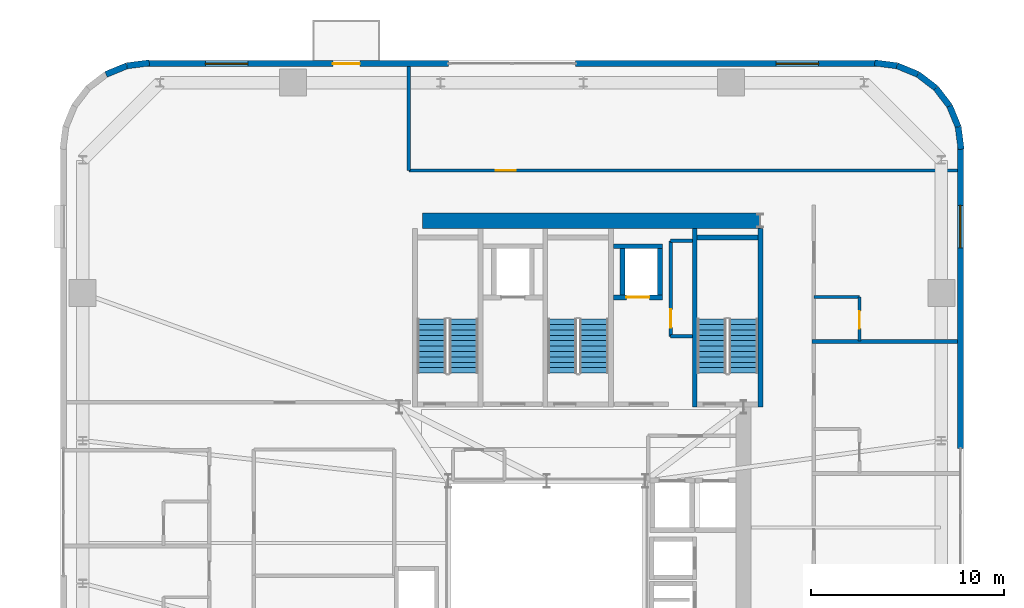
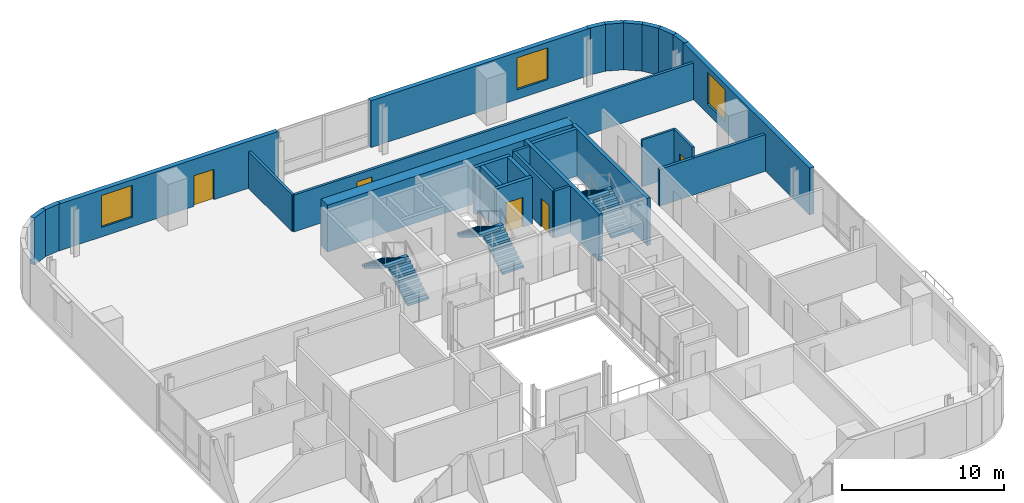
# One storey, part 10 of 12: 27 walls, 6 stair flights, 5 doors, 3 windows, 8 openings, 3 elements without a shape of their own.
"""IFC4 building model written with IfcOpenShell, lengths in metres."""

from ifc_helpers import new_model, si_unit, direction, frame, frame_2d, origin, place, context, subcontext, project, spatial, polyline, rectangle, outline, extrude, source, transform, mapped, material, layer, layer_set, type_object, element, fill, aggregate, save


model = new_model("IFC4")

# Units and contexts
model_context = context("Model", 3, precision=1e-05, world=origin(), true_north=direction((0.0, 1.0)))
body_context = subcontext(model_context, "Body", "Model", "MODEL_VIEW")
ifc_project = project(units=[si_unit("LENGTHUNIT", "METRE"), si_unit("AREAUNIT", "SQUARE_METRE"), si_unit("VOLUMEUNIT", "CUBIC_METRE"), si_unit("PLANEANGLEUNIT", "RADIAN"), si_unit("MASSUNIT", "GRAM", prefix="KILO")], contexts=[model_context])

# Site, building, storey
site_placement = place(None, origin())
site = spatial("IfcSite", under=ifc_project, at=site_placement, CompositionType="ELEMENT")
building_placement = place(site_placement, origin())
building = spatial("IfcBuilding", under=site, at=building_placement, Name="Vardaveli Station Tower", CompositionType="ELEMENT")
storey_placement = place(building_placement, frame((0.0, 0.0, 214.800048828125)))
storey = spatial("IfcBuildingStorey", under=building, at=storey_placement, Name="L55", CompositionType="ELEMENT", Elevation=214.800048828125)

# Wall
ifc_material_1 = material(Name="Concrete C50/60", Category="concrete")
ifc_layer_1 = layer(ifc_material_1, 0.800048828125, Name="Concrete C50/60")
ifc_layer_set_1 = layer_set([ifc_layer_1], Name="Concrete C50/60")
wall_type_1 = type_object("IfcWallType", Name="WAL-CORE-800", PredefinedType="SHEAR", material=ifc_layer_set_1)
shared_shape_1 = source(origin(), body_context, "Body", "SweptSolid", [
    extrude(rectangle(XDim=17.52001953125, YDim=0.800048828125, at=frame_2d((8.760009765625, 0.0))), origin(), (0.0, 0.0, 1.0), 3.530029296875),
])
wall_1_placement = place(storey_placement, frame((29.85009765625, 40.300048828125, 0.0), z_axis=(0.0, 0.0, 1.0), x_axis=(1.0, 0.0, 0.0)))
element("IfcWall", 1, at=wall_1_placement, inside=storey, type_object=wall_type_1, Name="SW-L55-NORTH", PredefinedType="SHEAR", context=body_context, shape_type="MappedRepresentation", body=[
    mapped(shared_shape_1, transform((0.0, 0.0, 0.0), scale=1.0)),
])

# Wall, opening, window
ifc_material_2 = material(Name="Precast concrete C45/55", Category="concrete")
ifc_layer_2 = layer(ifc_material_2, 0.320068359375, Name="Precast concrete C45/55")
ifc_layer_set_2 = layer_set([ifc_layer_2], Name="Precast concrete C45/55")
wall_type_2 = type_object("IfcWallType", Name="WAL-EXT-STONE-320", PredefinedType="SOLIDWALL", material=ifc_layer_set_2)
shared_shape_2 = source(origin(), body_context, "Body", "SweptSolid", [
    extrude(rectangle(XDim=15.599853515625, YDim=0.320068359375, at=frame_2d((7.7998046875, 0.0))), origin(), (0.0, 0.0, 1.0), 3.530029296875),
])
wall_2_placement = place(storey_placement, frame((53.39990234375, 48.43994140625, 0.0), z_axis=(0.0, 0.0, 1.0), x_axis=(-1.0, 0.0, 0.0)))
wall_2 = element("IfcWall", 2, at=wall_2_placement, inside=storey, type_object=wall_type_2, Name="EW-L55-N1", PredefinedType="SOLIDWALL", context=body_context, shape_type="MappedRepresentation", body=[
    mapped(shared_shape_2, transform((0.0, 0.0, 0.0), scale=1.0)),
])
shared_shape_3 = source(origin(), body_context, "Body", "SweptSolid", [
    extrude(rectangle(XDim=2.199951171875, YDim=2.39990234375, at=frame_2d((1.10009765625, 1.199951171875))), frame((0.0, 0.169921875, 0.0), z_axis=(0.0, -1.0, 0.0), x_axis=(1.0, 0.0, 0.0)), (0.0, 0.0, 1.0), 0.340087890625),
])
opening_1_placement = place(wall_2_placement, frame((3.0048828125, 0.0, 0.719970703125)))
opening_1 = element("IfcOpeningElement", 3, at=opening_1_placement, cuts=wall_2, Name="Opening W-03", PredefinedType="OPENING", context=body_context, shape_type="MappedRepresentation", body=[
    mapped(shared_shape_3, transform((0.0, 0.0, 0.0), scale=1.0)),
])
ifc_material_3 = material(Name="Low-E solar-control glass", Category="glass")
window_type = type_object("IfcWindowType", Name="WIN-LOG-2200x2400", PartitioningType="SINGLE_PANEL", PredefinedType="WINDOW", material=ifc_material_3)
shared_shape_4 = source(origin(), body_context, "Body", "SweptSolid", [
    extrude(rectangle(XDim=2.199951171875, YDim=2.39990234375, at=frame_2d((1.10009765625, 1.199951171875))), frame((0.0, 0.030029296875, 0.0), z_axis=(0.0, -1.0, 0.0), x_axis=(1.0, 0.0, 0.0)), (0.0, 0.0, 1.0), 0.06005859375),
])
window_1_placement = place(opening_1_placement, origin())
window_1 = element("IfcWindow", 4, at=window_1_placement, inside=storey, type_object=window_type, Name="WN-L55-N1", OverallHeight=2.39990234375, OverallWidth=2.199951171875, PartitioningType="SINGLE_PANEL", PredefinedType="WINDOW", context=body_context, shape_type="MappedRepresentation", body=[
    mapped(shared_shape_4, transform((0.0, 0.0, 0.0), scale=1.0)),
])
fill(opening_1, window_1)

# Wall, openings, door, window
wall_3_placement = place(storey_placement, frame((31.199951171875, 48.43994140625, 0.0), z_axis=(0.0, 0.0, 1.0), x_axis=(-1.0, 0.0, 0.0)))
wall_3 = element("IfcWall", 5, at=wall_3_placement, inside=storey, type_object=wall_type_2, Name="EW-L55-N2", PredefinedType="SOLIDWALL", context=body_context, shape_type="MappedRepresentation", body=[
    mapped(shared_shape_2, transform((0.0, 0.0, 0.0), scale=1.0)),
])
shared_shape_5 = source(origin(), body_context, "Body", "SweptSolid", [
    extrude(rectangle(XDim=1.39990234375, YDim=2.300048828125, at=frame_2d((0.699951171875, 1.14990234375))), frame((0.0, 0.169921875, 0.0), z_axis=(0.0, -1.0, 0.0), x_axis=(1.0, 0.0, 0.0)), (0.0, 0.0, 1.0), 0.340087890625),
])
opening_2_placement = place(wall_3_placement, frame((4.589599609375, 0.0, 0.0)))
opening_2 = element("IfcOpeningElement", 6, at=opening_2_placement, cuts=wall_3, Name="Opening D-09", PredefinedType="OPENING", context=body_context, shape_type="MappedRepresentation", body=[
    mapped(shared_shape_5, transform((0.0, 0.0, 0.0), scale=1.0)),
])
opening_3_placement = place(wall_3_placement, frame((10.39501953125, 0.0, 0.719970703125)))
opening_3 = element("IfcOpeningElement", 7, at=opening_3_placement, cuts=wall_3, Name="Opening W-03", PredefinedType="OPENING", context=body_context, shape_type="MappedRepresentation", body=[
    mapped(shared_shape_3, transform((0.0, 0.0, 0.0), scale=1.0)),
])
ifc_material_4 = material(Name="Thermally broken aluminium glass", Category="aluminium")
door_type_1 = type_object("IfcDoorType", Name="DR-LOG-1400x2300", OperationType="DOUBLE_DOOR_SLIDING", PredefinedType="DOOR", material=ifc_material_4)
shared_shape_6 = source(origin(), body_context, "Body", "SweptSolid", [
    extrude(rectangle(XDim=1.39990234375, YDim=2.300048828125, at=frame_2d((0.699951171875, 1.14990234375))), frame((0.0, 0.02490234375, 0.0), z_axis=(0.0, -1.0, 0.0), x_axis=(1.0, 0.0, 0.0)), (0.0, 0.0, 1.0), 0.050048828125),
])
door_1_placement = place(opening_2_placement, frame((1.39990234375, 0.0, 0.0), z_axis=(0.0, 0.0, 1.0), x_axis=(-1.0, 0.0, 0.0)))
door_1 = element("IfcDoor", 8, at=door_1_placement, inside=storey, type_object=door_type_1, Name="DLG-L55-N", OperationType="DOUBLE_DOOR_SLIDING", OverallHeight=2.300048828125, OverallWidth=1.39990234375, PredefinedType="DOOR", context=body_context, shape_type="MappedRepresentation", body=[
    mapped(shared_shape_6, transform((0.0, 0.0, 0.0), scale=1.0)),
])
fill(opening_2, door_1)
window_2_placement = place(opening_3_placement, origin())
window_2 = element("IfcWindow", 9, at=window_2_placement, inside=storey, type_object=window_type, Name="WN-L55-N2", OverallHeight=2.39990234375, OverallWidth=2.199951171875, PartitioningType="SINGLE_PANEL", PredefinedType="WINDOW", context=body_context, shape_type="MappedRepresentation", body=[
    mapped(shared_shape_4, transform((0.0, 0.0, 0.0), scale=1.0)),
])
fill(opening_3, window_2)

# Wall, opening, window
shared_shape_7 = source(origin(), body_context, "Body", "SweptSolid", [
    extrude(rectangle(XDim=15.60009765625, YDim=0.320068359375, at=frame_2d((7.800048828125, 0.0))), origin(), (0.0, 0.0, 1.0), 3.530029296875),
])
wall_4_placement = place(storey_placement, frame((57.739990234375, 28.5, 0.0), z_axis=(0.0, 0.0, 1.0), x_axis=(0.0, 1.0, 0.0)))
wall_4 = element("IfcWall", 10, at=wall_4_placement, inside=storey, type_object=wall_type_2, Name="EW-L55-E2", PredefinedType="SOLIDWALL", context=body_context, shape_type="MappedRepresentation", body=[
    mapped(shared_shape_7, transform((0.0, 0.0, 0.0), scale=1.0)),
])
opening_4_placement = place(wall_4_placement, frame((10.39501953125, 0.0, 0.719970703125)))
opening_4 = element("IfcOpeningElement", 11, at=opening_4_placement, cuts=wall_4, Name="Opening W-03", PredefinedType="OPENING", context=body_context, shape_type="MappedRepresentation", body=[
    mapped(shared_shape_3, transform((0.0, 0.0, 0.0), scale=1.0)),
])
window_3_placement = place(opening_4_placement, origin())
window_3 = element("IfcWindow", 12, at=window_3_placement, inside=storey, type_object=window_type, Name="WN-L55-E2", OverallHeight=2.39990234375, OverallWidth=2.199951171875, PartitioningType="SINGLE_PANEL", PredefinedType="WINDOW", context=body_context, shape_type="MappedRepresentation", body=[
    mapped(shared_shape_4, transform((0.0, 0.0, 0.0), scale=1.0)),
])
fill(opening_4, window_3)

# Walls
shared_shape_8 = source(origin(), body_context, "Body", "SweptSolid", [
    extrude(rectangle(XDim=1.1689453125, YDim=0.320068359375, at=frame_2d((0.58447265625, 0.0))), origin(), (0.0, 0.0, 1.0), 3.530029296875),
])
wall_5_placement = place(storey_placement, frame((57.179931640625, 46.2412109375, 0.0), z_axis=(0.0, 0.0, 1.0), x_axis=(-0.608387696831, 0.793639975269, 0.0)))
element("IfcWall", 13, at=wall_5_placement, inside=storey, type_object=wall_type_2, Name="EW-L55-CR3-3", PredefinedType="SOLIDWALL", context=body_context, shape_type="MappedRepresentation", body=[
    mapped(shared_shape_8, transform((0.0, 0.0, 0.0), scale=1.0)),
])
shared_shape_9 = source(origin(), body_context, "Body", "SweptSolid", [
    extrude(rectangle(XDim=1.168701171875, YDim=0.320068359375, at=frame_2d((0.58447265625, 0.0))), origin(), (0.0, 0.0, 1.0), 3.530029296875),
])
wall_6_placement = place(storey_placement, frame((56.46875, 47.1689453125, 0.0), z_axis=(0.0, 0.0, 1.0), x_axis=(-0.793663520347, 0.608356981114, 0.0)))
element("IfcWall", 14, at=wall_6_placement, inside=storey, type_object=wall_type_2, Name="EW-L55-CR3-4", PredefinedType="SOLIDWALL", context=body_context, shape_type="MappedRepresentation", body=[
    mapped(shared_shape_9, transform((0.0, 0.0, 0.0), scale=1.0)),
])
shared_shape_10 = source(origin(), body_context, "Body", "SweptSolid", [
    extrude(rectangle(XDim=1.17041015625, YDim=0.320068359375, at=frame_2d((0.585205078125, 0.0))), origin(), (0.0, 0.0, 1.0), 3.530029296875),
])
for number, where, z_axis, x_axis, name in (
    (15, (57.775634765625, 43.99951171875, 0.0), (0.0, 0.0, 1.0), (-0.128295670475, 0.991735963317, 0.0), "EW-L55-CR3-1"),
    (16, (54.460205078125, 48.325439453125, 0.0), (0.0, 0.0, 1.0), (-0.991735963317, 0.128295670475, 0.0), "EW-L55-CR3-6"),
    (17, (15.700439453125, 48.4755859375, 0.0), (0.0, 0.0, 1.0), (-0.991735963317, -0.128295670475, 0.0), "EW-L55-CR4-1"),
):
    element("IfcWall", number, at=place(storey_placement, frame(where, z_axis=z_axis, x_axis=x_axis)), inside=storey, type_object=wall_type_2, Name=name, PredefinedType="SOLIDWALL", context=body_context, shape_type="MappedRepresentation", body=[
        mapped(shared_shape_10, transform((0.0, 0.0, 0.0), scale=1.0)),
    ])
shared_shape_11 = source(origin(), body_context, "Body", "SweptSolid", [
    extrude(rectangle(XDim=1.169189453125, YDim=0.320068359375, at=frame_2d((0.58447265625, 0.0))), origin(), (0.0, 0.0, 1.0), 3.530029296875),
])
for number, where, z_axis, x_axis, name in (
    (18, (57.62548828125, 45.16015625, 0.0), (0.0, 0.0, 1.0), (-0.381054331552, 0.924552646638, 0.0), "EW-L55-CR3-2"),
    (19, (55.541259765625, 47.8798828125, 0.0), (0.0, 0.0, 1.0), (-0.924552646638, 0.381054331552, 0.0), "EW-L55-CR3-5"),
    (20, (14.539794921875, 48.325439453125, 0.0), (0.0, 0.0, 1.0), (-0.924552646638, -0.381054331552, 0.0), "EW-L55-CR4-2"),
):
    element("IfcWall", number, at=place(storey_placement, frame(where, z_axis=z_axis, x_axis=x_axis)), inside=storey, type_object=wall_type_2, Name=name, PredefinedType="SOLIDWALL", context=body_context, shape_type="MappedRepresentation", body=[
        mapped(shared_shape_11, transform((0.0, 0.0, 0.0), scale=1.0)),
    ])
ifc_material_5 = material(Name="Concrete C40/50", Category="concrete")
ifc_layer_3 = layer(ifc_material_5, 0.25, Name="Concrete C40/50")
ifc_layer_set_3 = layer_set([ifc_layer_3], Name="Concrete C40/50")
wall_type_3 = type_object("IfcWallType", Name="WAL-SHAFT-250", PredefinedType="SOLIDWALL", material=ifc_layer_set_3)
shared_shape_12 = source(origin(), body_context, "Body", "SweptSolid", [
    extrude(rectangle(XDim=9.25, YDim=0.25, at=frame_2d((4.625, 0.0))), origin(), (0.0, 0.0, 1.0), 3.550048828125),
])
for number, where, z_axis, x_axis, name in (
    (21, (43.97509765625, 30.64990234375, 0.0), (0.0, 0.0, 1.0), (0.0, 1.0, 0.0), "W-L55-ST-3W"),
    (22, (47.375, 30.64990234375, 0.0), (0.0, 0.0, 1.0), (0.0, 1.0, 0.0), "W-L55-ST-3E"),
):
    element("IfcWall", number, at=place(storey_placement, frame(where, z_axis=z_axis, x_axis=x_axis)), inside=storey, type_object=wall_type_3, Name=name, PredefinedType="SOLIDWALL", context=body_context, shape_type="MappedRepresentation", body=[
        mapped(shared_shape_12, transform((0.0, 0.0, 0.0), scale=1.0)),
    ])
shared_shape_13 = source(origin(), body_context, "Body", "SweptSolid", [
    extrude(rectangle(XDim=3.14990234375, YDim=0.25, at=frame_2d((1.574951171875, 0.0))), origin(), (0.0, 0.0, 1.0), 3.550048828125),
])
wall_7_placement = place(storey_placement, frame((44.10009765625, 39.425048828125, 0.0), z_axis=(0.0, 0.0, 1.0), x_axis=(1.0, 0.0, 0.0)))
element("IfcWall", 23, at=wall_7_placement, inside=storey, type_object=wall_type_3, Name="W-L55-ST-3N", PredefinedType="SOLIDWALL", context=body_context, shape_type="MappedRepresentation", body=[
    mapped(shared_shape_13, transform((0.0, 0.0, 0.0), scale=1.0)),
])
shared_shape_14 = source(origin(), body_context, "Body", "SweptSolid", [
    extrude(rectangle(XDim=2.400146484375, YDim=0.25, at=frame_2d((1.2001953125, 0.0))), origin(), (0.0, 0.0, 1.0), 3.530029296875),
])
for number, where, z_axis, x_axis, name in (
    (24, (40.22509765625, 36.449951171875, 0.0), (0.0, 0.0, 1.0), (0.0, 1.0, 0.0), "SHW-FFL-02-L55-W"),
    (25, (42.175048828125, 36.449951171875, 0.0), (0.0, 0.0, 1.0), (0.0, 1.0, 0.0), "SHW-FFL-02-L55-E"),
):
    element("IfcWall", number, at=place(storey_placement, frame(where, z_axis=z_axis, x_axis=x_axis)), inside=storey, type_object=wall_type_3, Name=name, PredefinedType="SOLIDWALL", context=body_context, shape_type="MappedRepresentation", body=[
        mapped(shared_shape_14, transform((0.0, 0.0, 0.0), scale=1.0)),
    ])

# Wall, opening, door
shared_shape_15 = source(origin(), body_context, "Body", "SweptSolid", [
    extrude(rectangle(XDim=2.550048828125, YDim=0.25, at=frame_2d((1.27490234375, 0.0))), origin(), (0.0, 0.0, 1.0), 3.530029296875),
])
wall_8_placement = place(storey_placement, frame((39.75, 36.324951171875, 0.0), z_axis=(0.0, 0.0, 1.0), x_axis=(1.0, 0.0, 0.0)))
wall_8 = element("IfcWall", 26, at=wall_8_placement, inside=storey, type_object=wall_type_3, Name="SHW-FFL-02-L55-S", PredefinedType="SOLIDWALL", context=body_context, shape_type="MappedRepresentation", body=[
    mapped(shared_shape_15, transform((0.0, 0.0, 0.0), scale=1.0)),
])
shared_shape_16 = source(origin(), body_context, "Body", "SweptSolid", [
    extrude(rectangle(XDim=1.199951171875, YDim=2.25, at=frame_2d((0.60009765625, 1.125))), frame((0.0, 0.135009765625, 0.0), z_axis=(0.0, -1.0, 0.0), x_axis=(1.0, 0.0, 0.0)), (0.0, 0.0, 1.0), 0.27001953125),
])
opening_5_placement = place(wall_8_placement, frame((0.675048828125, 0.0, 0.0)))
opening_5 = element("IfcOpeningElement", 27, at=opening_5_placement, cuts=wall_8, Name="Opening LD-02", PredefinedType="OPENING", context=body_context, shape_type="MappedRepresentation", body=[
    mapped(shared_shape_16, transform((0.0, 0.0, 0.0), scale=1.0)),
])
ifc_material_6 = material(Name="Brushed stainless steel", Category="steel")
door_type_2 = type_object("IfcDoorType", Name="DR-LD-1200x2250", OperationType="DOUBLE_DOOR_SLIDING", PredefinedType="DOOR", material=ifc_material_6)
shared_shape_17 = source(origin(), body_context, "Body", "SweptSolid", [
    extrude(rectangle(XDim=1.199951171875, YDim=2.25, at=frame_2d((0.60009765625, 1.125))), frame((0.0, 0.02490234375, 0.0), z_axis=(0.0, -1.0, 0.0), x_axis=(1.0, 0.0, 0.0)), (0.0, 0.0, 1.0), 0.050048828125),
])
door_2_placement = place(opening_5_placement, origin())
door_2 = element("IfcDoor", 28, at=door_2_placement, inside=storey, type_object=door_type_2, Name="LD-FFL-02-L55", OperationType="DOUBLE_DOOR_SLIDING", OverallHeight=2.25, OverallWidth=1.199951171875, PredefinedType="DOOR", context=body_context, shape_type="MappedRepresentation", body=[
    mapped(shared_shape_17, transform((0.0, 0.0, 0.0), scale=1.0)),
])
fill(opening_5, door_2)

# Wall
wall_9_placement = place(storey_placement, frame((39.75, 38.97509765625, 0.0), z_axis=(0.0, 0.0, 1.0), x_axis=(1.0, 0.0, 0.0)))
element("IfcWall", 29, at=wall_9_placement, inside=storey, type_object=wall_type_3, Name="SHW-FFL-02-L55-N", PredefinedType="SOLIDWALL", context=body_context, shape_type="MappedRepresentation", body=[
    mapped(shared_shape_15, transform((0.0, 0.0, 0.0), scale=1.0)),
])

# Wall, opening, door
ifc_material_7 = material(Name="Fire-rated gypsum stud partition")
ifc_layer_4 = layer(ifc_material_7, 0.179931640625, Name="Fire-rated gypsum stud partition")
ifc_layer_set_4 = layer_set([ifc_layer_4], Name="Fire-rated gypsum stud partition")
wall_type_4 = type_object("IfcWallType", Name="WAL-CORR-180", PredefinedType="PARTITIONING", material=ifc_layer_set_4)
shared_shape_18 = source(origin(), body_context, "Body", "SweptSolid", [
    extrude(rectangle(XDim=28.427978515625, YDim=0.179931640625, at=frame_2d((14.2138671875, 0.0))), origin(), (0.0, 0.0, 1.0), 2.77197265625),
])
wall_10_placement = place(storey_placement, frame((29.14990234375, 42.89990234375, 0.0), z_axis=(0.0, 0.0, 1.0), x_axis=(1.0, 0.0, 0.0)))
wall_10 = element("IfcWall", 30, at=wall_10_placement, inside=storey, type_object=wall_type_4, Name="W-L55-NPS", PredefinedType="PARTITIONING", context=body_context, shape_type="MappedRepresentation", body=[
    mapped(shared_shape_18, transform((0.0, 0.0, 0.0), scale=1.0)),
])
shared_shape_19 = source(origin(), body_context, "Body", "SweptSolid", [
    extrude(rectangle(XDim=1.050048828125, YDim=2.199951171875, at=frame_2d((0.52490234375, 1.10009765625))), frame((0.0, 0.10009765625, 0.0), z_axis=(0.0, -1.0, 0.0), x_axis=(1.0, 0.0, 0.0)), (0.0, 0.0, 1.0), 0.199951171875),
])
opening_6_placement = place(wall_10_placement, frame((4.5, 0.0, 0.0)))
opening_6 = element("IfcOpeningElement", 31, at=opening_6_placement, cuts=wall_10, Name="Opening D-05", PredefinedType="OPENING", context=body_context, shape_type="MappedRepresentation", body=[
    mapped(shared_shape_19, transform((0.0, 0.0, 0.0), scale=1.0)),
])
ifc_material_8 = material(Name="Walnut veneer acoustic fire door")
door_type_3 = type_object("IfcDoorType", Name="DR-SUITE-1050x2200", OperationType="NOTDEFINED", PredefinedType="DOOR", material=ifc_material_8)
shared_shape_20 = source(origin(), body_context, "Body", "SweptSolid", [
    extrude(rectangle(XDim=1.050048828125, YDim=2.199951171875, at=frame_2d((0.52490234375, 1.10009765625))), frame((0.0, 0.02490234375, 0.0), z_axis=(0.0, -1.0, 0.0), x_axis=(1.0, 0.0, 0.0)), (0.0, 0.0, 1.0), 0.050048828125),
])
door_3_placement = place(opening_6_placement, origin())
door_3 = element("IfcDoor", 32, at=door_3_placement, inside=storey, type_object=door_type_3, Name="D-L55-NP1", OperationType="SINGLE_SWING_LEFT", OverallHeight=2.199951171875, OverallWidth=1.050048828125, PredefinedType="DOOR", context=body_context, shape_type="MappedRepresentation", body=[
    mapped(shared_shape_20, transform((0.0, 0.0, 0.0), scale=1.0)),
])
fill(opening_6, door_3)

ifc_material_9 = material(Name="Moisture-resistant stud partition")
ifc_layer_5 = layer(ifc_material_9, 0.14990234375, Name="Moisture-resistant stud partition")
ifc_layer_set_5 = layer_set([ifc_layer_5], Name="Moisture-resistant stud partition")
wall_type_5 = type_object("IfcWallType", Name="WAL-WET-150", PredefinedType="PARTITIONING", material=ifc_layer_set_5)
shared_shape_21 = source(origin(), body_context, "Body", "SweptSolid", [
    extrude(rectangle(XDim=2.289794921875, YDim=0.14990234375, at=frame_2d((1.14501953125, 0.0))), origin(), (0.0, 0.0, 1.0), 3.530029296875),
])
wall_11_placement = place(storey_placement, frame((52.510009765625, 34.05810546875, 0.0), z_axis=(0.0, 0.0, 1.0), x_axis=(0.0, 1.0, 0.0)))
wall_11 = element("IfcWall", 33, at=wall_11_placement, inside=storey, type_object=wall_type_5, Name="W-L55-BE4-E", PredefinedType="PARTITIONING", context=body_context, shape_type="MappedRepresentation", body=[
    mapped(shared_shape_21, transform((0.0, 0.0, 0.0), scale=1.0)),
])
shared_shape_22 = source(origin(), body_context, "Body", "SweptSolid", [
    extrude(rectangle(XDim=0.89990234375, YDim=2.10009765625, at=frame_2d((0.449951171875, 1.050048828125))), frame((0.0, 0.0849609375, 0.0), z_axis=(0.0, -1.0, 0.0), x_axis=(1.0, 0.0, 0.0)), (0.0, 0.0, 1.0), 0.169921875),
])
opening_7_placement = place(wall_11_placement, frame((0.64990234375, 0.0, 0.0)))
opening_7 = element("IfcOpeningElement", 34, at=opening_7_placement, cuts=wall_11, Name="Opening D-08", PredefinedType="OPENING", context=body_context, shape_type="MappedRepresentation", body=[
    mapped(shared_shape_22, transform((0.0, 0.0, 0.0), scale=1.0)),
])
ifc_material_10 = material(Name="Moisture-resistant oak door")
door_type_4 = type_object("IfcDoorType", Name="DR-BATH-900x2100", OperationType="NOTDEFINED", PredefinedType="DOOR", material=ifc_material_10)
shared_shape_23 = source(origin(), body_context, "Body", "SweptSolid", [
    extrude(rectangle(XDim=0.89990234375, YDim=2.10009765625, at=frame_2d((0.449951171875, 1.050048828125))), frame((0.0, 0.02490234375, 0.0), z_axis=(0.0, -1.0, 0.0), x_axis=(1.0, 0.0, 0.0)), (0.0, 0.0, 1.0), 0.050048828125),
])
door_4_placement = place(opening_7_placement, origin())
door_4 = element("IfcDoor", 35, at=door_4_placement, inside=storey, type_object=door_type_4, Name="D-L55-BE4", OperationType="SINGLE_SWING_LEFT", OverallHeight=2.10009765625, OverallWidth=0.89990234375, PredefinedType="DOOR", context=body_context, shape_type="MappedRepresentation", body=[
    mapped(shared_shape_23, transform((0.0, 0.0, 0.0), scale=1.0)),
])
fill(opening_7, door_4)

# Walls
ifc_material_11 = material(Name="Acoustic twin-stud gypsum partition")
ifc_layer_6 = layer(ifc_material_11, 0.199951171875, Name="Acoustic twin-stud gypsum partition")
ifc_layer_set_6 = layer_set([ifc_layer_6], Name="Acoustic twin-stud gypsum partition")
wall_type_6 = type_object("IfcWallType", Name="WAL-PARTY-200", PredefinedType="PARTITIONING", material=ifc_layer_set_6)
shared_shape_24 = source(origin(), body_context, "Body", "SweptSolid", [
    extrude(rectangle(XDim=7.52783203125, YDim=0.199951171875, at=frame_2d((3.763916015625, 0.0))), origin(), (0.0, 0.0, 1.0), 2.77197265625),
])
wall_12_placement = place(storey_placement, frame((50.050048828125, 34.0380859375, 0.0), z_axis=(0.0, 0.0, 1.0), x_axis=(1.0, 0.0, 0.0)))
element("IfcWall", 36, at=wall_12_placement, inside=storey, type_object=wall_type_6, Name="W-L55-PE3", PredefinedType="PARTITIONING", context=body_context, shape_type="MappedRepresentation", body=[
    mapped(shared_shape_24, transform((0.0, 0.0, 0.0), scale=1.0)),
])
shared_shape_25 = source(origin(), body_context, "Body", "SweptSolid", [
    extrude(rectangle(XDim=5.378173828125, YDim=0.179931640625, at=frame_2d((2.68896484375, 0.0))), origin(), (0.0, 0.0, 1.0), 2.77197265625),
])
wall_13_placement = place(storey_placement, frame((29.14990234375, 42.89990234375, 0.0), z_axis=(0.0, 0.0, 1.0), x_axis=(0.0, 1.0, 0.0)))
element("IfcWall", 37, at=wall_13_placement, inside=storey, type_object=wall_type_4, Name="W-L55-NPW", PredefinedType="PARTITIONING", context=body_context, shape_type="MappedRepresentation", body=[
    mapped(shared_shape_25, transform((0.0, 0.0, 0.0), scale=1.0)),
])
shared_shape_26 = source(origin(), body_context, "Body", "SweptSolid", [
    extrude(rectangle(XDim=2.360107421875, YDim=0.14990234375, at=frame_2d((1.18017578125, 0.0))), origin(), (0.0, 0.0, 1.0), 3.530029296875),
])
wall_14_placement = place(storey_placement, frame((50.14990234375, 36.347900390625, 0.0), z_axis=(0.0, 0.0, 1.0), x_axis=(1.0, 0.0, 0.0)))
element("IfcWall", 38, at=wall_14_placement, inside=storey, type_object=wall_type_5, Name="W-L55-BE4-N", PredefinedType="PARTITIONING", context=body_context, shape_type="MappedRepresentation", body=[
    mapped(shared_shape_26, transform((0.0, 0.0, 0.0), scale=1.0)),
])

# Wall, opening, door
shared_shape_27 = source(origin(), body_context, "Body", "SweptSolid", [
    extrude(rectangle(XDim=4.949951171875, YDim=0.179931640625, at=frame_2d((2.47509765625, 0.0))), origin(), (0.0, 0.0, 1.0), 3.530029296875),
])
wall_15_placement = place(storey_placement, frame((42.719970703125, 34.300048828125, 0.0), z_axis=(0.0, 0.0, 1.0), x_axis=(0.0, 1.0, 0.0)))
wall_15 = element("IfcWall", 39, at=wall_15_placement, inside=storey, type_object=wall_type_4, Name="W-L55-CBS1-W", PredefinedType="PARTITIONING", context=body_context, shape_type="MappedRepresentation", body=[
    mapped(shared_shape_27, transform((0.0, 0.0, 0.0), scale=1.0)),
])
shared_shape_28 = source(origin(), body_context, "Body", "SweptSolid", [
    extrude(rectangle(XDim=0.949951171875, YDim=2.14990234375, at=frame_2d((0.47509765625, 1.074951171875))), frame((0.0, 0.10009765625, 0.0), z_axis=(0.0, -1.0, 0.0), x_axis=(1.0, 0.0, 0.0)), (0.0, 0.0, 1.0), 0.199951171875),
])
opening_8_placement = place(wall_15_placement, frame((0.449951171875, 0.0, 0.0)))
opening_8 = element("IfcOpeningElement", 40, at=opening_8_placement, cuts=wall_15, Name="Opening D-06", PredefinedType="OPENING", context=body_context, shape_type="MappedRepresentation", body=[
    mapped(shared_shape_28, transform((0.0, 0.0, 0.0), scale=1.0)),
])
ifc_material_12 = material(Name="Oak veneer acoustic fire door")
door_type_5 = type_object("IfcDoorType", Name="DR-GUEST-950x2150", OperationType="NOTDEFINED", PredefinedType="DOOR", material=ifc_material_12)
shared_shape_29 = source(origin(), body_context, "Body", "SweptSolid", [
    extrude(rectangle(XDim=0.949951171875, YDim=2.14990234375, at=frame_2d((0.47509765625, 1.074951171875))), frame((0.0, 0.02490234375, 0.0), z_axis=(0.0, -1.0, 0.0), x_axis=(1.0, 0.0, 0.0)), (0.0, 0.0, 1.0), 0.050048828125),
])
door_5_placement = place(opening_8_placement, origin())
door_5 = element("IfcDoor", 41, at=door_5_placement, inside=storey, type_object=door_type_5, Name="D-L55-HKP", OperationType="SINGLE_SWING_RIGHT", OverallHeight=2.14990234375, OverallWidth=0.949951171875, PredefinedType="DOOR", context=body_context, shape_type="MappedRepresentation", body=[
    mapped(shared_shape_29, transform((0.0, 0.0, 0.0), scale=1.0)),
])
fill(opening_8, door_5)

# Walls
shared_shape_30 = source(origin(), body_context, "Body", "SweptSolid", [
    extrude(rectangle(XDim=1.1279296875, YDim=0.179931640625, at=frame_2d((0.56396484375, 0.0))), origin(), (0.0, 0.0, 1.0), 3.530029296875),
])
for number, where, z_axis, x_axis, name in (
    (42, (42.719970703125, 34.300048828125, 0.0), (0.0, 0.0, 1.0), (1.0, 0.0, 0.0), "W-L55-CBS1-S"),
    (43, (42.719970703125, 39.25, 0.0), (0.0, 0.0, 1.0), (1.0, 0.0, 0.0), "W-L55-CBS1-N"),
):
    element("IfcWall", number, at=place(storey_placement, frame(where, z_axis=z_axis, x_axis=x_axis)), inside=storey, type_object=wall_type_4, Name=name, PredefinedType="PARTITIONING", context=body_context, shape_type="MappedRepresentation", body=[
        mapped(shared_shape_30, transform((0.0, 0.0, 0.0), scale=1.0)),
    ])

# Stair, stair flights
stair_type = type_object("IfcStairType", Name="STR-CORE-1500", PredefinedType="HALF_TURN_STAIR", material=ifc_material_5)
stair_1_placement = place(storey_placement, origin())
stair_1 = element("IfcStair", 44, at=stair_1_placement, inside=storey, type_object=stair_type, Name="L55 ST-1", PredefinedType="HALF_TURN_STAIR")
stair_flight_type = type_object("IfcStairFlightType", Name="SFL-CORE-1500", PredefinedType="STRAIGHT", material=ifc_material_5)
shared_shape_31 = source(origin(), body_context, "Body", "SweptSolid", [
    extrude(outline(polyline([(0.0, 0.0), (0.0, 0.17041015625), (0.280029296875, 0.17041015625), (0.280029296875, 0.3408203125), (0.56005859375, 0.3408203125), (0.56005859375, 0.511474609375), (0.840087890625, 0.511474609375), (0.840087890625, 0.681884765625), (1.1201171875, 0.681884765625), (1.1201171875, 0.852294921875), (1.39990234375, 0.852294921875), (1.39990234375, 1.022705078125), (1.679931640625, 1.022705078125), (1.679931640625, 1.193115234375), (1.9599609375, 1.193115234375), (1.9599609375, 1.363525390625), (2.239990234375, 1.363525390625), (2.239990234375, 1.5341796875), (2.52001953125, 1.5341796875), (2.52001953125, 1.70458984375), (2.800048828125, 1.70458984375), (2.800048828125, 1.875), (2.800048828125, 1.529052734375), (0.288330078125, 0.0), (0.0, 0.0)])), frame((0.0, 0.75, 0.0), z_axis=(0.0, -1.0, 0.0), x_axis=(1.0, 0.0, 0.0)), (0.0, 0.0, 1.0), 1.5),
])
stair_flight_1_placement = place(storey_placement, frame((32.0, 32.39990234375, 0.0), z_axis=(0.0, 0.0, 1.0), x_axis=(0.0, 1.0, 0.0)))
stair_flight_1 = element("IfcStairFlight", 45, at=stair_flight_1_placement, type_object=stair_flight_type, Name="ST-1 flight 1", NumberOfRisers=11, NumberOfTreads=10, PredefinedType="STRAIGHT", RiserHeight=0.170454545, TreadLength=0.28, context=body_context, shape_type="MappedRepresentation", body=[
    mapped(shared_shape_31, transform((0.0, 0.0, 0.0), scale=1.0)),
])
stair_flight_2_placement = place(storey_placement, frame((30.35009765625, 35.199951171875, 1.875), z_axis=(0.0, 0.0, 1.0), x_axis=(0.0, -1.0, 0.0)))
stair_flight_2 = element("IfcStairFlight", 46, at=stair_flight_2_placement, type_object=stair_flight_type, Name="ST-1 flight 2", NumberOfRisers=11, NumberOfTreads=10, PredefinedType="STRAIGHT", RiserHeight=0.170454545, TreadLength=0.28, context=body_context, shape_type="MappedRepresentation", body=[
    mapped(shared_shape_31, transform((0.0, 0.0, 0.0), scale=1.0)),
])
aggregate(stair_1, [stair_flight_1, stair_flight_2])

stair_2_placement = place(storey_placement, origin())
stair_2 = element("IfcStair", 47, at=stair_2_placement, inside=storey, type_object=stair_type, Name="L55 ST-2", PredefinedType="HALF_TURN_STAIR")
stair_flight_3_placement = place(storey_placement, frame((38.75, 32.39990234375, 0.0), z_axis=(0.0, 0.0, 1.0), x_axis=(0.0, 1.0, 0.0)))
stair_flight_3 = element("IfcStairFlight", 48, at=stair_flight_3_placement, type_object=stair_flight_type, Name="ST-2 flight 1", NumberOfRisers=11, NumberOfTreads=10, PredefinedType="STRAIGHT", RiserHeight=0.170454545, TreadLength=0.28, context=body_context, shape_type="MappedRepresentation", body=[
    mapped(shared_shape_31, transform((0.0, 0.0, 0.0), scale=1.0)),
])
stair_flight_4_placement = place(storey_placement, frame((37.10009765625, 35.199951171875, 1.875), z_axis=(0.0, 0.0, 1.0), x_axis=(0.0, -1.0, 0.0)))
stair_flight_4 = element("IfcStairFlight", 49, at=stair_flight_4_placement, type_object=stair_flight_type, Name="ST-2 flight 2", NumberOfRisers=11, NumberOfTreads=10, PredefinedType="STRAIGHT", RiserHeight=0.170454545, TreadLength=0.28, context=body_context, shape_type="MappedRepresentation", body=[
    mapped(shared_shape_31, transform((0.0, 0.0, 0.0), scale=1.0)),
])
aggregate(stair_2, [stair_flight_3, stair_flight_4])

stair_3_placement = place(storey_placement, origin())
stair_3 = element("IfcStair", 50, at=stair_3_placement, inside=storey, type_object=stair_type, Name="L55 ST-3", PredefinedType="HALF_TURN_STAIR")
stair_flight_5_placement = place(storey_placement, frame((46.5, 32.39990234375, 0.0), z_axis=(0.0, 0.0, 1.0), x_axis=(0.0, 1.0, 0.0)))
stair_flight_5 = element("IfcStairFlight", 51, at=stair_flight_5_placement, type_object=stair_flight_type, Name="ST-3 flight 1", NumberOfRisers=11, NumberOfTreads=10, PredefinedType="STRAIGHT", RiserHeight=0.170454545, TreadLength=0.28, context=body_context, shape_type="MappedRepresentation", body=[
    mapped(shared_shape_31, transform((0.0, 0.0, 0.0), scale=1.0)),
])
stair_flight_6_placement = place(storey_placement, frame((44.85009765625, 35.199951171875, 1.875), z_axis=(0.0, 0.0, 1.0), x_axis=(0.0, -1.0, 0.0)))
stair_flight_6 = element("IfcStairFlight", 52, at=stair_flight_6_placement, type_object=stair_flight_type, Name="ST-3 flight 2", NumberOfRisers=11, NumberOfTreads=10, PredefinedType="STRAIGHT", RiserHeight=0.170454545, TreadLength=0.28, context=body_context, shape_type="MappedRepresentation", body=[
    mapped(shared_shape_31, transform((0.0, 0.0, 0.0), scale=1.0)),
])
aggregate(stair_3, [stair_flight_5, stair_flight_6])

save(model, "model.ifc")
